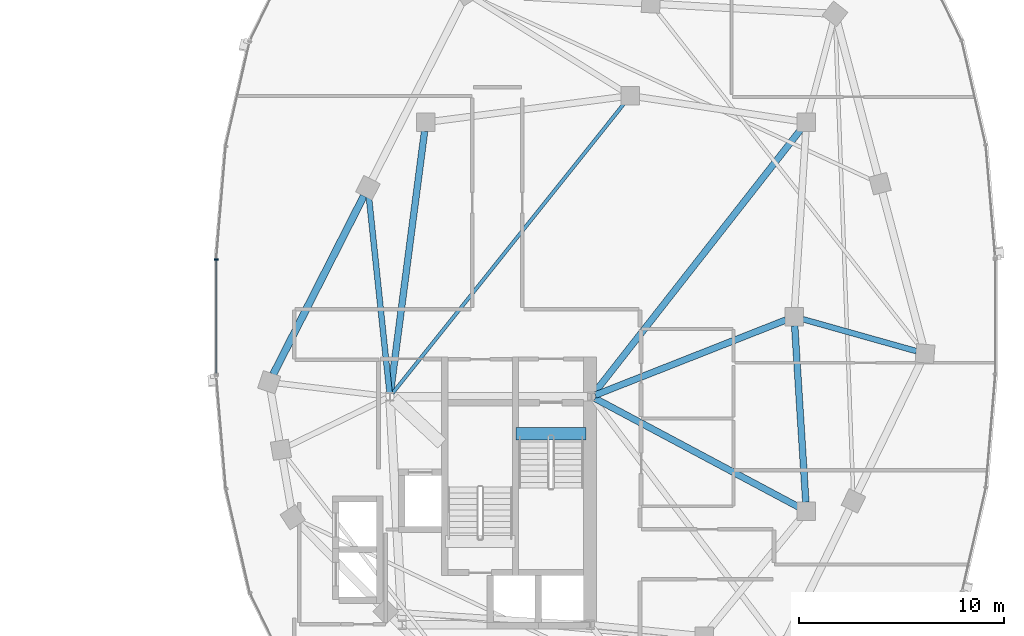
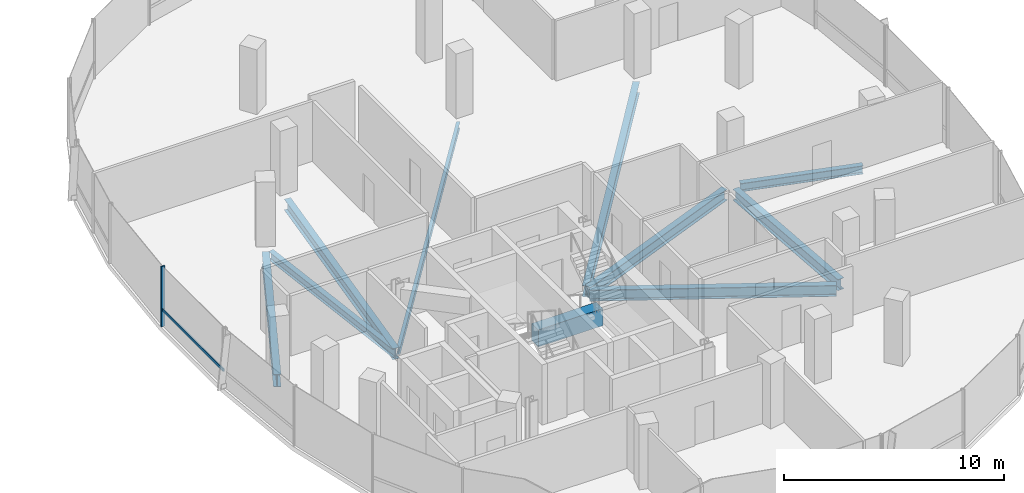
# One storey, part 9 of 25: 10 beams, 2 members, 1 element without a shape of its own.
"""IFC4 building model written with IfcOpenShell, lengths in metres."""

import ifcopenshell
import ifcopenshell.guid

model = None  # the IFC model being written
_history = None  # IfcOwnerHistory: only IFC2X3 demands one
_inside = {}  # id of a spatial element -> (the spatial element, [elements in it])
_under = {}  # id of a project, library or spatial element -> (it, [spatial elements below it])
_declared = {}  # id of a project -> (the project, [libraries it declares])
_typed = {}  # id of a type object -> (the type object, [elements of that type])
_made_of = {}  # id of a material, layer set ... -> (it, [elements and type objects made of it])


def new_model(schema):
    """Start an empty IFC model of exactly this schema.

    Asked for "IFC4X3", IfcOpenShell would pick the latest addendum, in which some entities
    have other attributes; the version numbers below select the first issue.
    IFC2X3 requires an IfcOwnerHistory on every rooted entity: one is made here for all.
    """
    global model, _history
    if schema == "IFC4X3":
        model = ifcopenshell.file(schema_version=(4, 3, 0, 0))
    else:
        model = ifcopenshell.file(schema=schema)
    _inside.clear()
    _under.clear()
    _declared.clear()
    _typed.clear()
    _made_of.clear()
    _history = None
    if model.schema == "IFC2X3":
        org = make("IfcOrganization", Name="unknown")
        user = make(
            "IfcPersonAndOrganization",
            ThePerson=make("IfcPerson", FamilyName="unknown"),
            TheOrganization=org,
        )
        app = make(
            "IfcApplication",
            ApplicationDeveloper=org,
            Version="unknown",
            ApplicationFullName="unknown",
            ApplicationIdentifier="unknown",
        )
        _history = make(
            "IfcOwnerHistory",
            OwningUser=user,
            OwningApplication=app,
            ChangeAction="ADDED",
            CreationDate=0,
        )
    return model


def make(cls, **values):
    """One entity of the class cls with the attributes given. An attribute that is None is left unset."""
    return model.create_entity(
        cls, **{name: value for name, value in values.items() if value is not None}
    )


def rooted(cls, **values):
    """An entity with a GlobalId (a new one), such as an element, a storey or a relation."""
    return make(cls, GlobalId=ifcopenshell.guid.new(), OwnerHistory=_history, **values)


def si_unit(unit_type, name, prefix=None):
    """IfcSIUnit, for example si_unit("LENGTHUNIT", "METRE", prefix="MILLI")."""
    return make("IfcSIUnit", UnitType=unit_type, Prefix=prefix, Name=name)


def assignment(units):
    """IfcUnitAssignment: the units of a project."""
    return None if units is None else make("IfcUnitAssignment", Units=units)


def point(xyz):
    """IfcCartesianPoint."""
    return None if xyz is None else make("IfcCartesianPoint", Coordinates=xyz)


def direction(xyz):
    """IfcDirection."""
    return None if xyz is None else make("IfcDirection", DirectionRatios=xyz)


def frame(location, z_axis=None, x_axis=None):
    """IfcAxis2Placement3D, a coordinate frame: its origin and axes. An axis left out is left unset."""
    return make(
        "IfcAxis2Placement3D",
        Location=point(location),
        Axis=direction(z_axis),
        RefDirection=direction(x_axis),
    )


def frame_2d(location, x_axis=None):
    """IfcAxis2Placement2D, a coordinate frame in the plane: its origin and x axis."""
    return make(
        "IfcAxis2Placement2D", Location=point(location), RefDirection=direction(x_axis)
    )


def origin():
    """The frame at (0, 0, 0) with its axes left unset."""
    return frame((0.0, 0.0, 0.0))


def origin_2d():
    """The frame at (0, 0) in the plane with its x axis left unset."""
    return frame_2d((0.0, 0.0))


def place(relative_to, where):
    """IfcLocalPlacement: puts the frame where relative to a parent placement (None: the world)."""
    return make(
        "IfcLocalPlacement", PlacementRelTo=relative_to, RelativePlacement=where
    )


def context(
    kind, dimensions, precision=None, world=None, true_north=None, identifier=None
):
    """IfcGeometricRepresentationContext, for example the 3D "Model" context."""
    return make(
        "IfcGeometricRepresentationContext",
        ContextIdentifier=identifier,
        ContextType=kind,
        CoordinateSpaceDimension=dimensions,
        Precision=precision,
        WorldCoordinateSystem=world,
        TrueNorth=true_north,
    )


def subcontext(parent, identifier, kind, view, scale=None):
    """IfcGeometricRepresentationSubContext, for example "Body" below "Model"."""
    return make(
        "IfcGeometricRepresentationSubContext",
        ContextIdentifier=identifier,
        ContextType=kind,
        ParentContext=parent,
        TargetScale=scale,
        TargetView=view,
    )


def project(units=None, contexts=None):
    """IfcProject with its units and contexts."""
    return rooted(
        "IfcProject",
        Name="project",
        RepresentationContexts=contexts,
        UnitsInContext=assignment(units),
    )


def spatial(cls, under=None, at=None, **own):
    """A site, building, storey or space (cls), placed at a placement, below another one or the project."""
    s = rooted(cls, ObjectPlacement=at, **own)
    if under is not None:
        _under.setdefault(under.id(), (under, []))[1].append(s)
    return s


def profile(cls, at=None, kind="AREA", **sizes):
    """A parametric profile (cls). Its sizes go by their IFC names, for example OverallWidth=200.0."""
    return make(cls, ProfileType=kind, Position=at, **sizes)


def rectangle(**sizes):
    """IfcRectangleProfileDef."""
    return profile("IfcRectangleProfileDef", **sizes)


def i_section(**sizes):
    """IfcIShapeProfileDef."""
    return profile("IfcIShapeProfileDef", **sizes)


def extrude(swept, where, along, depth):
    """IfcExtrudedAreaSolid: the profile swept, set in the frame where, extruded along a direction by depth."""
    return make(
        "IfcExtrudedAreaSolid",
        SweptArea=swept,
        Position=where,
        ExtrudedDirection=direction(along),
        Depth=depth,
    )


def shape(context_of_items, identifier, shape_type, items):
    """IfcShapeRepresentation: the items that make up one representation, for example the "Body"."""
    return make(
        "IfcShapeRepresentation",
        ContextOfItems=context_of_items,
        RepresentationIdentifier=identifier,
        RepresentationType=shape_type,
        Items=items,
    )


def material(Name=None, Category=None):
    """IfcMaterial."""
    return make("IfcMaterial", Name=Name, Category=Category)


def material_profile(
    of_material, cross_section, Name=None, Category=None, Priority=None
):
    """IfcMaterialProfile: a cross section and its material."""
    return make(
        "IfcMaterialProfile",
        Name=Name,
        Material=of_material,
        Profile=cross_section,
        Priority=Priority,
        Category=Category,
    )


def profile_set(profiles, Name=None, composite=None):
    """IfcMaterialProfileSet."""
    return make(
        "IfcMaterialProfileSet",
        Name=Name,
        MaterialProfiles=profiles,
        CompositeProfile=composite,
    )


def made_of(thing, what):
    """Note that an element or type object is made of a material, layer set ...; save() writes the relation."""
    if what is not None:
        _made_of.setdefault(what.id(), (what, []))[1].append(thing)
    return thing


def type_object(cls, material=None, **own):
    """A type object (cls), such as IfcWallType, which elements share."""
    return made_of(rooted(cls, **own), material)


def element(
    cls,
    number,
    at=None,
    inside=None,
    cuts=None,
    type_object=None,
    material=None,
    context=None,
    identifier="Body",
    shape_type=None,
    held_by="IfcProductDefinitionShape",
    body=None,
    shapes=None,
    **own,
):
    """One element of the class cls, such as IfcWall. Its Tag is "e" and its number.

    at: its placement. inside: the storey or other place that contains it. cuts: it is an
    opening in that element (IfcRelVoidsElement). A single representation is given by context,
    identifier, shape_type and body (its items); several are given by shapes. held_by: the class
    of the entity that holds the representations. save() writes the other relations.
    """
    e = rooted(cls, Tag="e%d" % number, ObjectPlacement=at, **own)
    if body is not None:
        shapes = [shape(context, identifier, shape_type, body)]
    if shapes is not None:
        e.Representation = make(held_by, Representations=shapes)
    if inside is not None:
        _inside.setdefault(inside.id(), (inside, []))[1].append(e)
    if cuts is not None:
        rooted(
            "IfcRelVoidsElement", RelatingBuildingElement=cuts, RelatedOpeningElement=e
        )
    if type_object is not None:
        _typed.setdefault(type_object.id(), (type_object, []))[1].append(e)
    return made_of(e, material)


def aggregate(whole, parts):
    """IfcRelAggregates: a whole, such as a stair, and the parts it consists of."""
    return rooted("IfcRelAggregates", RelatingObject=whole, RelatedObjects=parts)


def save(model, path):
    """Write the relations noted so far, then the file.

    IfcRelAggregates (storeys below a building ...), IfcRelContainedInSpatialStructure (elements
    in a storey), IfcRelDefinesByType, IfcRelAssociatesMaterial and IfcRelDeclares: one each for
    every whole, place, type object, material and project.
    """
    for whole, parts in _under.values():
        aggregate(whole, parts)
    for where, things in _inside.values():
        rooted(
            "IfcRelContainedInSpatialStructure",
            RelatedElements=things,
            RelatingStructure=where,
        )
    for kind, things in _typed.values():
        rooted("IfcRelDefinesByType", RelatedObjects=things, RelatingType=kind)
    for what, things in _made_of.values():
        rooted("IfcRelAssociatesMaterial", RelatedObjects=things, RelatingMaterial=what)
    for by, libraries in _declared.values():
        rooted("IfcRelDeclares", RelatingContext=by, RelatedDefinitions=libraries)
    model.write(path)


model = new_model("IFC4")

# Units and contexts
model_context = context("Model", 3, precision=1e-05, world=origin(), true_north=direction((0.0, 1.0)))
body_context = subcontext(model_context, "Body", "Model", "MODEL_VIEW")
ifc_project = project(units=[si_unit("LENGTHUNIT", "METRE"), si_unit("AREAUNIT", "SQUARE_METRE"), si_unit("VOLUMEUNIT", "CUBIC_METRE"), si_unit("PLANEANGLEUNIT", "RADIAN"), si_unit("MASSUNIT", "GRAM", prefix="KILO"), si_unit("THERMODYNAMICTEMPERATUREUNIT", "KELVIN"), si_unit("POWERUNIT", "WATT")], contexts=[model_context])

# Site, building, storey
site_placement = place(None, origin())
site = spatial("IfcSite", under=ifc_project, at=site_placement, CompositionType="ELEMENT")
building_placement = place(site_placement, origin())
building = spatial("IfcBuilding", under=site, at=building_placement, Name="Cundina Bronze Exchange", CompositionType="ELEMENT")
storey_placement = place(building_placement, frame((0.0, 0.0, 213.39990234375)))
storey = spatial("IfcBuildingStorey", under=building, at=storey_placement, Name="L56", CompositionType="ELEMENT", Elevation=213.39990234375)

# Beams
ifc_material_1 = material(Name="Concrete C60/75", Category="concrete")
ifc_material_profile_1 = material_profile(ifc_material_1, rectangle(XDim=0.60009765625, YDim=0.949951171875, at=origin_2d()), Name="RC600X950", Category="concrete")
ifc_profile_set_1 = profile_set([ifc_material_profile_1], Name="Concrete C60/75")
beam_type_1 = type_object("IfcBeamType", Name="BM-COUP-RC950", PredefinedType="LINTEL", material=ifc_profile_set_1)
beam_1_placement = place(storey_placement, frame((27.6201171875, -5.719970703125, -0.474853515625), z_axis=(1.0, 0.0, 0.0), x_axis=(0.0, 1.0, 0.0)))
element("IfcBeam", 1, at=beam_1_placement, inside=storey, type_object=beam_type_1, Name="L56 Stair E1 Landing Header Beam", PredefinedType="LINTEL", context=body_context, shape_type="SweptSolid", body=[
    extrude(rectangle(XDim=0.60009765625, YDim=0.949951171875, at=origin_2d()), origin(), (0.0, 0.0, 1.0), 3.39990234375),
])
ifc_material_2 = material(Name="Steel ASTM A992 Grade 50", Category="steel")
ifc_material_profile_2 = material_profile(ifc_material_2, i_section(OverallWidth=0.280029296875, OverallDepth=0.462890625, WebThickness=0.0107421875, FlangeThickness=0.017333984375, FilletRadius=0.011962890625, at=origin_2d()), Name="W18X76", Category="steel")
ifc_profile_set_2 = profile_set([ifc_material_profile_2], Name="Steel ASTM A992 Grade 50")
beam_type_2 = type_object("IfcBeamType", Name="BM-FLR-W18A", PredefinedType="BEAM", material=ifc_profile_set_2)
beam_2_placement = place(storey_placement, frame((41.62158203125, -0.11865234375, -0.491455078125), z_axis=(0.96265679604, -0.270724755127, 0.0), x_axis=(0.270724755127, 0.96265679604, 0.0)))
element("IfcBeam", 2, at=beam_2_placement, inside=storey, type_object=beam_type_2, Name="L56 Leg E Chordal Floor Beam 08", PredefinedType="BEAM", context=body_context, shape_type="SweptSolid", body=[
    extrude(i_section(OverallWidth=0.280029296875, OverallDepth=0.462890625, WebThickness=0.0107421875, FlangeThickness=0.017333984375, FilletRadius=0.011962890625, at=origin_2d()), origin(), (0.0, 0.0, 1.0), 5.7724609375),
])
beam_3_placement = place(storey_placement, frame((21.429443359375, -3.705078125, -0.491455078125), z_axis=(-0.104810251666, 0.994492237851, 0.0), x_axis=(-0.994492237851, -0.104810251666, 0.0)))
element("IfcBeam", 3, at=beam_3_placement, inside=storey, type_object=beam_type_2, Name="L56 Leg E Chordal Floor Beam 13", PredefinedType="BEAM", context=body_context, shape_type="SweptSolid", body=[
    extrude(i_section(OverallWidth=0.280029296875, OverallDepth=0.462890625, WebThickness=0.0107421875, FlangeThickness=0.017333984375, FilletRadius=0.011962890625, at=origin_2d()), origin(), (0.0, 0.0, 1.0), 9.62255859375),
])
ifc_material_profile_3 = material_profile(ifc_material_2, i_section(OverallWidth=0.172119140625, OverallDepth=0.35791015625, WebThickness=0.0078125, FlangeThickness=0.01318359375, FilletRadius=0.010009765625, at=origin_2d()), Name="W14X38", Category="steel")
ifc_profile_set_3 = profile_set([ifc_material_profile_3], Name="Steel ASTM A992 Grade 50")
beam_type_3 = type_object("IfcBeamType", Name="BM-JST-W14", PredefinedType="JOIST", material=ifc_profile_set_3)
beam_4_placement = place(storey_placement, frame((21.572509765625, -3.746826171875, -0.43896484375), z_axis=(0.624364266872, 0.781133319129, 0.0), x_axis=(-0.781133319129, 0.624364266872, 0.0)))
element("IfcBeam", 4, at=beam_4_placement, inside=storey, type_object=beam_type_3, Name="L56 E Interior Core-to-Ring Joist 2", PredefinedType="JOIST", context=body_context, shape_type="SweptSolid", body=[
    extrude(i_section(OverallWidth=0.172119140625, OverallDepth=0.35791015625, WebThickness=0.0078125, FlangeThickness=0.01318359375, FilletRadius=0.010009765625, at=origin_2d()), origin(), (0.0, 0.0, 1.0), 18.184814453125),
])
ifc_material_profile_4 = material_profile(ifc_material_2, i_section(OverallWidth=0.324951171875, OverallDepth=0.615966796875, WebThickness=0.013916015625, FlangeThickness=0.021484375, FilletRadius=0.01611328125, at=origin_2d()), Name="W24X117", Category="steel")
ifc_profile_set_4 = profile_set([ifc_material_profile_4], Name="Steel ASTM A992 Grade 50")
beam_type_4 = type_object("IfcBeamType", Name="BM-RING-W24", PredefinedType="USERDEFINED", material=ifc_profile_set_4)
beam_5_placement = place(storey_placement, frame((41.7724609375, -9.06298828125, -0.56787109375), z_axis=(-0.063046519736, 0.998010589297, 0.0), x_axis=(-0.998010589297, -0.063046519736, 0.0)))
element("IfcBeam", 5, at=beam_5_placement, inside=storey, type_object=beam_type_4, Name="L56 E Inner Structural Ring Girder 03", ObjectType="GIRDER", PredefinedType="USERDEFINED", context=body_context, shape_type="SweptSolid", body=[
    extrude(i_section(OverallWidth=0.324951171875, OverallDepth=0.615966796875, WebThickness=0.013916015625, FlangeThickness=0.021484375, FilletRadius=0.01611328125, at=origin_2d()), origin(), (0.0, 0.0, 1.0), 8.64306640625),
])
beam_6_placement = place(storey_placement, frame((23.143310546875, 9.065673828125, -0.56787109375), z_axis=(-0.129501251979, -0.991579258424, 0.0), x_axis=(0.991579258424, -0.129501251979, 0.0)))
element("IfcBeam", 6, at=beam_6_placement, inside=storey, type_object=beam_type_4, Name="L56 E Inner Structural Ring Girder 07", ObjectType="GIRDER", PredefinedType="USERDEFINED", context=body_context, shape_type="SweptSolid", body=[
    extrude(i_section(OverallWidth=0.324951171875, OverallDepth=0.615966796875, WebThickness=0.013916015625, FlangeThickness=0.021484375, FilletRadius=0.01611328125, at=origin_2d()), origin(), (0.0, 0.0, 1.0), 12.8798828125),
])
beam_7_placement = place(storey_placement, frame((31.482421875, -3.828125, -0.56787109375), z_axis=(0.930404106569, 0.366535398673, 0.0), x_axis=(-0.366535398673, 0.930404106569, 0.0)))
element("IfcBeam", 7, at=beam_7_placement, inside=storey, type_object=beam_type_4, Name="L56 E Core-to-Waist Tie Beam 1", ObjectType="GIRDER", PredefinedType="USERDEFINED", context=body_context, shape_type="SweptSolid", body=[
    extrude(i_section(OverallWidth=0.324951171875, OverallDepth=0.615966796875, WebThickness=0.013916015625, FlangeThickness=0.021484375, FilletRadius=0.01611328125, at=origin_2d()), origin(), (0.0, 0.0, 1.0), 10.00634765625),
])
beam_8_placement = place(storey_placement, frame((31.472900390625, -3.9921875, -0.56787109375), z_axis=(0.882350541683, -0.470592734317, 0.0), x_axis=(0.470592734317, 0.882350541683, 0.0)))
element("IfcBeam", 8, at=beam_8_placement, inside=storey, type_object=beam_type_4, Name="L56 E Core-to-Waist Tie Beam 2", ObjectType="GIRDER", PredefinedType="USERDEFINED", context=body_context, shape_type="SweptSolid", body=[
    extrude(i_section(OverallWidth=0.324951171875, OverallDepth=0.615966796875, WebThickness=0.013916015625, FlangeThickness=0.021484375, FilletRadius=0.01611328125, at=origin_2d()), origin(), (0.0, 0.0, 1.0), 11.26611328125),
])
beam_9_placement = place(storey_placement, frame((31.4208984375, -3.74560546875, -0.56787109375), z_axis=(0.616782900053, 0.787133314123, 0.0), x_axis=(-0.787133314123, 0.616782900053, 0.0)))
element("IfcBeam", 9, at=beam_9_placement, inside=storey, type_object=beam_type_4, Name="L56 E Core-to-Waist Tie Beam 3", ObjectType="GIRDER", PredefinedType="USERDEFINED", context=body_context, shape_type="SweptSolid", body=[
    extrude(i_section(OverallWidth=0.324951171875, OverallDepth=0.615966796875, WebThickness=0.013916015625, FlangeThickness=0.021484375, FilletRadius=0.01611328125, at=origin_2d()), origin(), (0.0, 0.0, 1.0), 16.3896484375),
])
ifc_material_profile_5 = material_profile(ifc_material_2, i_section(OverallWidth=0.35498046875, OverallDepth=0.695068359375, WebThickness=0.015380859375, FlangeThickness=0.02490234375, FilletRadius=0.01806640625, at=origin_2d()), Name="W27X146", Category="steel")
ifc_profile_set_5 = profile_set([ifc_material_profile_5], Name="Steel ASTM A992 Grade 50")
beam_type_5 = type_object("IfcBeamType", Name="BM-RING-W27", PredefinedType="USERDEFINED", material=ifc_profile_set_5)
beam_10_placement = place(storey_placement, frame((20.1767578125, 5.909423828125, -0.607421875), z_axis=(-0.452846871434, -0.891588308039, 0.0), x_axis=(0.891588308039, -0.452846871434, 0.0)))
element("IfcBeam", 10, at=beam_10_placement, inside=storey, type_object=beam_type_5, Name="L56 E Perimeter Ring Girder 13", ObjectType="GIRDER", PredefinedType="USERDEFINED", context=body_context, shape_type="SweptSolid", body=[
    extrude(i_section(OverallWidth=0.35498046875, OverallDepth=0.695068359375, WebThickness=0.015380859375, FlangeThickness=0.02490234375, FilletRadius=0.01806640625, at=origin_2d()), origin(), (0.0, 0.0, 1.0), 9.779052734375),
])

# Curtain wall, members
ifc_material_3 = material(Name="Anodised Bronze Aluminium 6063-T6", Category="aluminium")
curtain_wall_type = type_object("IfcCurtainWallType", Name="CWS-UPP-OFF", PredefinedType="NOTDEFINED", material=ifc_material_3)
curtain_wall_placement = place(storey_placement, origin())
curtain_wall = element("IfcCurtainWall", 11, at=curtain_wall_placement, inside=storey, type_object=curtain_wall_type, Name="L56 CW-05 Curtain Wall Run CWR-L56-E2", PredefinedType="NOTDEFINED")
ifc_material_profile_6 = material_profile(ifc_material_3, rectangle(XDim=0.070068359375, YDim=0.18994140625, at=origin_2d()), Name="AL70X190", Category="aluminium")
ifc_profile_set_6 = profile_set([ifc_material_profile_6], Name="Anodised Bronze Aluminium 6063-T6")
member_type_1 = type_object("IfcMemberType", Name="CWM-MUL-190", PredefinedType="MULLION", material=ifc_profile_set_6)
member_1_placement = place(storey_placement, frame((12.966064453125, 2.794921875, 0.0), z_axis=(0.0, 0.0, 1.0), x_axis=(0.0, -1.0, 0.0)))
member_1 = element("IfcMember", 12, at=member_1_placement, type_object=member_type_1, Name="CW-05 Mullion 7", PredefinedType="MULLION", context=body_context, shape_type="SweptSolid", body=[
    extrude(rectangle(XDim=0.070068359375, YDim=0.18994140625, at=origin_2d()), origin(), (0.0, 0.0, 1.0), 3.340087890625),
])
ifc_material_profile_7 = material_profile(ifc_material_3, rectangle(XDim=0.06494140625, YDim=0.14990234375, at=origin_2d()), Name="AL65X150", Category="aluminium")
ifc_profile_set_7 = profile_set([ifc_material_profile_7], Name="Anodised Bronze Aluminium 6063-T6")
member_type_2 = type_object("IfcMemberType", Name="CWM-TRN-150", PredefinedType="USERDEFINED", material=ifc_profile_set_7)
member_2_placement = place(storey_placement, frame((12.966064453125, 2.756591796875, 0.920166015625), z_axis=(0.0, -1.0, 0.0), x_axis=(1.0, 0.0, 0.0)))
member_2 = element("IfcMember", 13, at=member_2_placement, type_object=member_type_2, Name="CW-05 Spandrel Transom 7", ObjectType="TRANSOM", PredefinedType="USERDEFINED", context=body_context, shape_type="SweptSolid", body=[
    extrude(rectangle(XDim=0.06494140625, YDim=0.14990234375, at=origin_2d()), origin(), (0.0, 0.0, 1.0), 5.51318359375),
])
aggregate(curtain_wall, [member_1, member_2])

save(model, "model.ifc")
